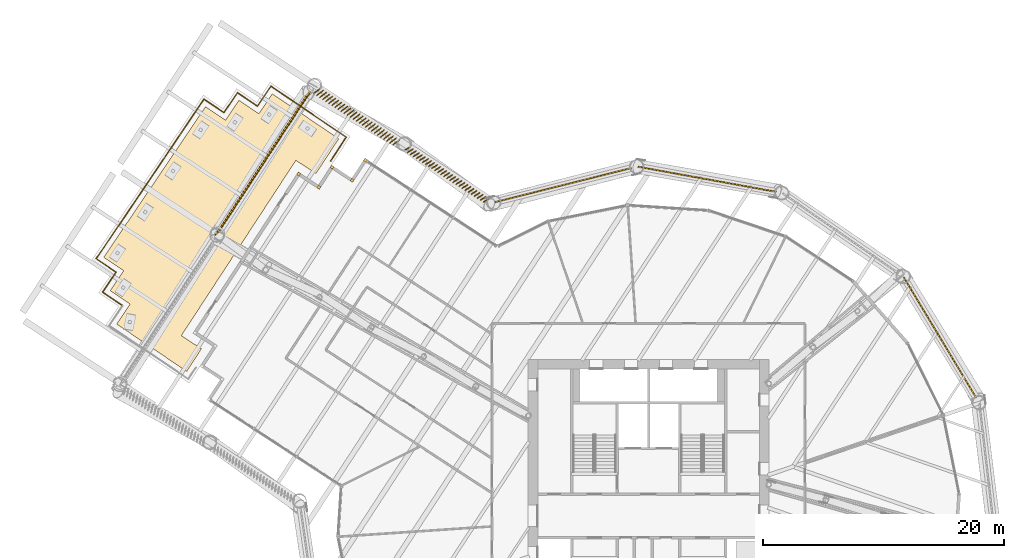
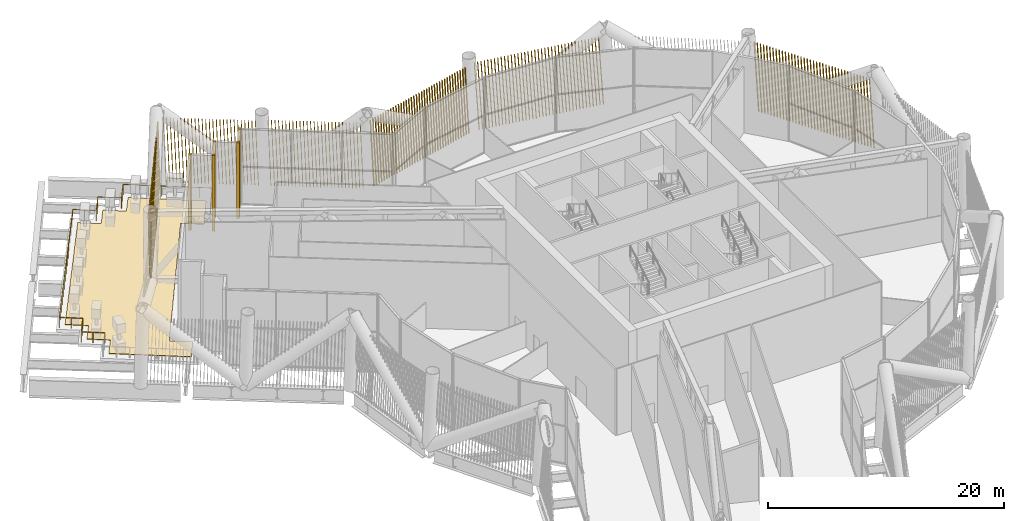
# One storey, part 60 of 63: 11 shading devices, 1 covering, 1 railing.
"""IFC4 building model written with IfcOpenShell, lengths in metres."""

from ifc_helpers import new_model, si_unit, direction, frame, frame_2d, origin, origin_2d, place, context, subcontext, project, spatial, polyline, rectangle, circle, outline, composite_profile, extrude, material, layer, layer_set, type_object, element, save


model = new_model("IFC4")

# Units and contexts
model_context = context("Model", 3, precision=1e-05, world=origin(), true_north=direction((0.0, 1.0)))
body_context = subcontext(model_context, "Body", "Model", "MODEL_VIEW")
ifc_project = project(units=[si_unit("LENGTHUNIT", "METRE"), si_unit("AREAUNIT", "SQUARE_METRE"), si_unit("VOLUMEUNIT", "CUBIC_METRE"), si_unit("PLANEANGLEUNIT", "RADIAN"), si_unit("MASSUNIT", "GRAM", prefix="KILO")], contexts=[model_context])

# Site, building, storey
site_placement = place(None, origin())
site = spatial("IfcSite", under=ifc_project, at=site_placement, CompositionType="ELEMENT")
building_placement = place(site_placement, origin())
building = spatial("IfcBuilding", under=site, at=building_placement, Name="Tarsis Ring Headquarters", CompositionType="ELEMENT")
storey_placement = place(building_placement, frame((0.0, 0.0, 139.60009765625)))
storey = spatial("IfcBuildingStorey", under=building, at=storey_placement, Name="L32", CompositionType="ELEMENT", Elevation=139.60009765625)

# Railing
ifc_material_1 = material(Name="Stainless steel guard", Category="steel")
railing_type = type_object("IfcRailingType", Name="Guard rail with mesh infill 1100", PredefinedType="GUARDRAIL", material=ifc_material_1)
railing_placement = place(storey_placement, frame((-43.70947265625, 17.478271484375, 0.0)))
element("IfcRailing", 1, at=railing_placement, inside=storey, type_object=railing_type, Name="Terrace guard L32-1.1", PredefinedType="GUARDRAIL", context=body_context, shape_type="SweptSolid", body=[
    extrude(circle(Radius=0.030029296875, at=origin_2d()), frame((0.0, 0.0, 1.070068359375), z_axis=(-0.828426692775, 0.560097504635, 0.0), x_axis=(-0.560097504635, -0.828426692775, 0.0)), (0.0, 0.0, 1.0), 1.999755859375),
    extrude(circle(Radius=0.030029296875, at=origin_2d()), frame((-1.65673828125, 1.1201171875, 1.070068359375), z_axis=(0.560040864527, 0.828464984208, 0.0), x_axis=(-0.828464984208, 0.560040864527, 0.0)), (0.0, 0.0, 1.0), 2.0),
    extrude(circle(Radius=0.030029296875, at=origin_2d()), frame((-0.53662109375, 2.777099609375, 1.070068359375), z_axis=(-0.828464984208, 0.560040864527, 0.0), x_axis=(-0.560040864527, -0.828464984208, 0.0)), (0.0, 0.0, 1.0), 2.0),
    extrude(circle(Radius=0.030029296875, at=origin_2d()), frame((-2.193603515625, 3.897216796875, 1.070068359375), z_axis=(0.560062103532, 0.828450626282, 0.0), x_axis=(-0.828450626282, 0.560062103532, 0.0)), (0.0, 0.0, 1.0), 16.0),
    extrude(circle(Radius=0.030029296875, at=origin_2d()), frame((6.767333984375, 17.15234375, 1.070068359375), z_axis=(0.828464984208, -0.560040864527, 0.0), x_axis=(0.560040864527, 0.828464984208, 0.0)), (0.0, 0.0, 1.0), 2.0),
    extrude(circle(Radius=0.030029296875, at=origin_2d()), frame((8.42431640625, 16.0322265625, 1.070068359375), z_axis=(0.560040864527, 0.828464984208, 0.0), x_axis=(-0.828464984208, 0.560040864527, 0.0)), (0.0, 0.0, 1.0), 2.0),
    extrude(circle(Radius=0.030029296875, at=origin_2d()), frame((9.54443359375, 17.689208984375, 1.070068359375), z_axis=(0.828464984208, -0.560040864527, 0.0), x_axis=(0.560040864527, 0.828464984208, 0.0)), (0.0, 0.0, 1.0), 2.0),
    extrude(circle(Radius=0.030029296875, at=origin_2d()), frame((11.201416015625, 16.569091796875, 1.070068359375), z_axis=(0.560097504635, 0.828426692775, 0.0), x_axis=(-0.828426692775, 0.560097504635, 0.0)), (0.0, 0.0, 1.0), 1.999755859375),
    extrude(circle(Radius=0.030029296875, at=origin_2d()), frame((12.321533203125, 18.225830078125, 1.070068359375), z_axis=(0.828449194127, -0.560064221987, 0.0), x_axis=(0.560064221987, 0.828449194127, 0.0)), (0.0, 0.0, 1.0), 7.556640625),
    extrude(circle(Radius=0.030029296875, at=origin_2d()), frame((18.581787109375, 13.99365234375, 1.070068359375), z_axis=(-0.546981485054, -0.837144703745, 0.0), x_axis=(0.837144703745, -0.546981485054, 0.0)), (0.0, 0.0, 1.0), 2.357666015625),
    extrude(circle(Radius=0.02490234375, at=origin_2d()), origin(), (0.0, 0.0, 1.0), 1.0400390625),
    extrude(circle(Radius=0.02490234375, at=origin_2d()), frame((-0.828369140625, 0.56005859375, 0.0)), (0.0, 0.0, 1.0), 1.0400390625),
    extrude(circle(Radius=0.02490234375, at=origin_2d()), frame((-1.65673828125, 1.1201171875, 0.0)), (0.0, 0.0, 1.0), 1.0400390625),
    extrude(circle(Radius=0.02490234375, at=origin_2d()), frame((-1.0966796875, 1.94873046875, 0.0)), (0.0, 0.0, 1.0), 1.0400390625),
    extrude(circle(Radius=0.02490234375, at=origin_2d()), frame((-0.53662109375, 2.777099609375, 0.0)), (0.0, 0.0, 1.0), 1.0400390625),
    extrude(circle(Radius=0.02490234375, at=origin_2d()), frame((-1.365234375, 3.337158203125, 0.0)), (0.0, 0.0, 1.0), 1.0400390625),
    extrude(circle(Radius=0.02490234375, at=origin_2d()), frame((-2.193603515625, 3.897216796875, 0.0)), (0.0, 0.0, 1.0), 1.0400390625),
    extrude(circle(Radius=0.02490234375, at=origin_2d()), frame((-1.553466796875, 4.843994140625, 0.0)), (0.0, 0.0, 1.0), 1.0400390625),
    extrude(circle(Radius=0.02490234375, at=origin_2d()), frame((-0.91357421875, 5.790771484375, 0.0)), (0.0, 0.0, 1.0), 1.0400390625),
    extrude(circle(Radius=0.02490234375, at=origin_2d()), frame((-0.2734375, 6.737548828125, 0.0)), (0.0, 0.0, 1.0), 1.0400390625),
    extrude(circle(Radius=0.02490234375, at=origin_2d()), frame((0.36669921875, 7.684326171875, 0.0)), (0.0, 0.0, 1.0), 1.0400390625),
    extrude(circle(Radius=0.02490234375, at=origin_2d()), frame((1.0068359375, 8.631103515625, 0.0)), (0.0, 0.0, 1.0), 1.0400390625),
    extrude(circle(Radius=0.02490234375, at=origin_2d()), frame((1.646728515625, 9.577880859375, 0.0)), (0.0, 0.0, 1.0), 1.0400390625),
    extrude(circle(Radius=0.02490234375, at=origin_2d()), frame((2.286865234375, 10.52490234375, 0.0)), (0.0, 0.0, 1.0), 1.0400390625),
    extrude(circle(Radius=0.02490234375, at=origin_2d()), frame((2.927001953125, 11.4716796875, 0.0)), (0.0, 0.0, 1.0), 1.0400390625),
    extrude(circle(Radius=0.02490234375, at=origin_2d()), frame((3.56689453125, 12.41845703125, 0.0)), (0.0, 0.0, 1.0), 1.0400390625),
    extrude(circle(Radius=0.02490234375, at=origin_2d()), frame((4.20703125, 13.365234375, 0.0)), (0.0, 0.0, 1.0), 1.0400390625),
    extrude(circle(Radius=0.02490234375, at=origin_2d()), frame((4.84716796875, 14.31201171875, 0.0)), (0.0, 0.0, 1.0), 1.0400390625),
    extrude(circle(Radius=0.02490234375, at=origin_2d()), frame((5.4873046875, 15.2587890625, 0.0)), (0.0, 0.0, 1.0), 1.0400390625),
    extrude(circle(Radius=0.02490234375, at=origin_2d()), frame((6.127197265625, 16.20556640625, 0.0)), (0.0, 0.0, 1.0), 1.0400390625),
    extrude(circle(Radius=0.02490234375, at=origin_2d()), frame((6.767333984375, 17.15234375, 0.0)), (0.0, 0.0, 1.0), 1.0400390625),
    extrude(circle(Radius=0.02490234375, at=origin_2d()), frame((7.595703125, 16.59228515625, 0.0)), (0.0, 0.0, 1.0), 1.0400390625),
    extrude(circle(Radius=0.02490234375, at=origin_2d()), frame((8.42431640625, 16.0322265625, 0.0)), (0.0, 0.0, 1.0), 1.0400390625),
    extrude(circle(Radius=0.02490234375, at=origin_2d()), frame((8.984375, 16.86083984375, 0.0)), (0.0, 0.0, 1.0), 1.0400390625),
    extrude(circle(Radius=0.02490234375, at=origin_2d()), frame((9.54443359375, 17.689208984375, 0.0)), (0.0, 0.0, 1.0), 1.0400390625),
    extrude(circle(Radius=0.02490234375, at=origin_2d()), frame((10.373046875, 17.129150390625, 0.0)), (0.0, 0.0, 1.0), 1.0400390625),
    extrude(circle(Radius=0.02490234375, at=origin_2d()), frame((11.201416015625, 16.569091796875, 0.0)), (0.0, 0.0, 1.0), 1.0400390625),
    extrude(circle(Radius=0.02490234375, at=origin_2d()), frame((11.761474609375, 17.3974609375, 0.0)), (0.0, 0.0, 1.0), 1.0400390625),
    extrude(circle(Radius=0.02490234375, at=origin_2d()), frame((12.321533203125, 18.225830078125, 0.0)), (0.0, 0.0, 1.0), 1.0400390625),
    extrude(circle(Radius=0.02490234375, at=origin_2d()), frame((13.2158203125, 17.621337890625, 0.0)), (0.0, 0.0, 1.0), 1.0400390625),
    extrude(circle(Radius=0.02490234375, at=origin_2d()), frame((14.110107421875, 17.0166015625, 0.0)), (0.0, 0.0, 1.0), 1.0400390625),
    extrude(circle(Radius=0.02490234375, at=origin_2d()), frame((15.00439453125, 16.412109375, 0.0)), (0.0, 0.0, 1.0), 1.0400390625),
    extrude(circle(Radius=0.02490234375, at=origin_2d()), frame((15.89892578125, 15.807373046875, 0.0)), (0.0, 0.0, 1.0), 1.0400390625),
    extrude(circle(Radius=0.02490234375, at=origin_2d()), frame((16.793212890625, 15.202880859375, 0.0)), (0.0, 0.0, 1.0), 1.0400390625),
    extrude(circle(Radius=0.02490234375, at=origin_2d()), frame((17.6875, 14.59814453125, 0.0)), (0.0, 0.0, 1.0), 1.0400390625),
    extrude(circle(Radius=0.02490234375, at=origin_2d()), frame((18.581787109375, 13.99365234375, 0.0)), (0.0, 0.0, 1.0), 1.0400390625),
    extrude(circle(Radius=0.02490234375, at=origin_2d()), frame((17.93701171875, 13.0068359375, 0.0)), (0.0, 0.0, 1.0), 1.0400390625),
    extrude(circle(Radius=0.02490234375, at=origin_2d()), frame((17.292236328125, 12.02001953125, 0.0)), (0.0, 0.0, 1.0), 1.0400390625),
])

# Covering
ifc_material_2 = material(Name="Porcelain terrace paving")
ifc_layer = layer(ifc_material_2, 0.0400390625)
ifc_layer_set = layer_set([ifc_layer], Name="Terrace paving 40")
covering_type = type_object("IfcCoveringType", Name="Terrace paving 40", PredefinedType="FLOORING", material=ifc_layer_set)
covering_placement = place(storey_placement, origin())
element("IfcCovering", 2, at=covering_placement, inside=storey, type_object=covering_type, Name="Terrace paving L32-1", PredefinedType="FLOORING", context=body_context, shape_type="SweptSolid", body=[
    extrude(outline(polyline([(-43.08447265625, 17.59912109375), (-44.741455078125, 18.71923828125), (-43.621337890625, 20.3759765625), (-45.2783203125, 21.49609375), (-36.8212890625, 34.005859375), (-35.164306640625, 32.8857421875), (-34.044189453125, 34.54248046875), (-32.387451171875, 33.42236328125), (-31.267333984375, 35.079345703125), (-25.74658203125, 31.34716796875), (-27.638916015625, 28.451171875), (-29.313232421875, 29.545166015625), (-38.83056640625, 14.978759765625), (-37.15625, 13.885009765625), (-38.38330078125, 12.0068359375), (-44.20458984375, 15.942138671875), (-43.08447265625, 17.59912109375)])), origin(), (0.0, 0.0, 1.0), 0.039794921875),
])

# Shading devices
ifc_material_3 = material(Name="Terracotta baguette", Category="masonry")
shading_device_type_1 = type_object("IfcShadingDeviceType", Name="Terracotta baguette screen", PredefinedType="USERDEFINED", material=ifc_material_3)
shading_device_1_placement = place(storey_placement, frame((27.234619140625, 9.80908203125, 0.0), z_axis=(0.0, 0.0, 1.0), x_axis=(-0.515203472599, 0.857059142702, 0.0)))
element("IfcShadingDevice", 3, at=shading_device_1_placement, inside=storey, type_object=shading_device_type_1, Name="Baguette screen L32-11", ObjectType="Terracotta baguette screen", PredefinedType="USERDEFINED", context=body_context, shape_type="SweptSolid", body=[
    extrude(composite_profile([rectangle(XDim=0.06005859375, YDim=0.1201171875, at=frame_2d((0.030029296875, 0.0))), rectangle(XDim=0.06005859375, YDim=0.1201171875, at=frame_2d((0.33251953125, 0.0))), rectangle(XDim=0.06005859375, YDim=0.1201171875, at=frame_2d((0.634765625, 0.0))), rectangle(XDim=0.06005859375, YDim=0.1201171875, at=frame_2d((0.937255859375, 0.0))), rectangle(XDim=0.06005859375, YDim=0.1201171875, at=frame_2d((1.239501953125, 0.0))), rectangle(XDim=0.06005859375, YDim=0.1201171875, at=frame_2d((1.5419921875, 0.0))), rectangle(XDim=0.06005859375, YDim=0.1201171875, at=frame_2d((1.844482421875, 0.0))), rectangle(XDim=0.06005859375, YDim=0.1201171875, at=frame_2d((2.146728515625, 0.0))), rectangle(XDim=0.06005859375, YDim=0.1201171875, at=frame_2d((2.44921875, 0.0))), rectangle(XDim=0.06005859375, YDim=0.1201171875, at=frame_2d((2.751708984375, 0.0))), rectangle(XDim=0.06005859375, YDim=0.1201171875, at=frame_2d((3.053955078125, 0.0))), rectangle(XDim=0.06005859375, YDim=0.1201171875, at=frame_2d((3.3564453125, 0.0))), rectangle(XDim=0.06005859375, YDim=0.1201171875, at=frame_2d((3.65869140625, 0.0))), rectangle(XDim=0.06005859375, YDim=0.1201171875, at=frame_2d((3.961181640625, 0.0))), rectangle(XDim=0.06005859375, YDim=0.1201171875, at=frame_2d((4.263671875, 0.0))), rectangle(XDim=0.06005859375, YDim=0.1201171875, at=frame_2d((4.56591796875, 0.0))), rectangle(XDim=0.06005859375, YDim=0.1201171875, at=frame_2d((4.868408203125, 0.0))), rectangle(XDim=0.06005859375, YDim=0.1201171875, at=frame_2d((5.1708984375, 0.0))), rectangle(XDim=0.06005859375, YDim=0.1201171875, at=frame_2d((5.47314453125, 0.0))), rectangle(XDim=0.06005859375, YDim=0.1201171875, at=frame_2d((5.775634765625, 0.0))), rectangle(XDim=0.06005859375, YDim=0.1201171875, at=frame_2d((6.077880859375, 0.0))), rectangle(XDim=0.06005859375, YDim=0.1201171875, at=frame_2d((6.38037109375, 0.0))), rectangle(XDim=0.06005859375, YDim=0.1201171875, at=frame_2d((6.682861328125, 0.0))), rectangle(XDim=0.06005859375, YDim=0.1201171875, at=frame_2d((6.985107421875, 0.0))), rectangle(XDim=0.06005859375, YDim=0.1201171875, at=frame_2d((7.28759765625, 0.0))), rectangle(XDim=0.06005859375, YDim=0.1201171875, at=frame_2d((7.590087890625, 0.0))), rectangle(XDim=0.06005859375, YDim=0.1201171875, at=frame_2d((7.892333984375, 0.0))), rectangle(XDim=0.06005859375, YDim=0.1201171875, at=frame_2d((8.19482421875, 0.0))), rectangle(XDim=0.06005859375, YDim=0.1201171875, at=frame_2d((8.4970703125, 0.0))), rectangle(XDim=0.06005859375, YDim=0.1201171875, at=frame_2d((8.799560546875, 0.0))), rectangle(XDim=0.06005859375, YDim=0.1201171875, at=frame_2d((9.10205078125, 0.0))), rectangle(XDim=0.06005859375, YDim=0.1201171875, at=frame_2d((9.404296875, 0.0))), rectangle(XDim=0.06005859375, YDim=0.1201171875, at=frame_2d((9.706787109375, 0.0))), rectangle(XDim=0.06005859375, YDim=0.1201171875, at=frame_2d((10.00927734375, 0.0))), rectangle(XDim=0.06005859375, YDim=0.1201171875, at=frame_2d((10.3115234375, 0.0))), rectangle(XDim=0.06005859375, YDim=0.1201171875, at=frame_2d((10.614013671875, 0.0))), rectangle(XDim=0.06005859375, YDim=0.1201171875, at=frame_2d((10.916259765625, 0.0))), rectangle(XDim=0.06005859375, YDim=0.1201171875, at=frame_2d((11.21875, 0.0)))]), origin(), (0.063139934079, 0.000495763711, 0.998004560582), 7.06396484375),
])
shading_device_2_placement = place(storey_placement, frame((10.61279296875, 26.931640625, 0.0), z_axis=(0.0, 0.0, 1.0), x_axis=(-0.983874118285, 0.178860553445, 0.0)))
element("IfcShadingDevice", 4, at=shading_device_2_placement, inside=storey, type_object=shading_device_type_1, Name="Baguette screen L32-13", ObjectType="Terracotta baguette screen", PredefinedType="USERDEFINED", context=body_context, shape_type="SweptSolid", body=[
    extrude(composite_profile([rectangle(XDim=0.06005859375, YDim=0.1201171875, at=frame_2d((0.030029296875, 0.0))), rectangle(XDim=0.06005859375, YDim=0.1201171875, at=frame_2d((0.33251953125, 0.0))), rectangle(XDim=0.06005859375, YDim=0.1201171875, at=frame_2d((0.634765625, 0.0))), rectangle(XDim=0.06005859375, YDim=0.1201171875, at=frame_2d((0.937255859375, 0.0))), rectangle(XDim=0.06005859375, YDim=0.1201171875, at=frame_2d((1.239501953125, 0.0))), rectangle(XDim=0.06005859375, YDim=0.1201171875, at=frame_2d((1.5419921875, 0.0))), rectangle(XDim=0.06005859375, YDim=0.1201171875, at=frame_2d((1.844482421875, 0.0))), rectangle(XDim=0.06005859375, YDim=0.1201171875, at=frame_2d((2.146728515625, 0.0))), rectangle(XDim=0.06005859375, YDim=0.1201171875, at=frame_2d((2.44921875, 0.0))), rectangle(XDim=0.06005859375, YDim=0.1201171875, at=frame_2d((2.751708984375, 0.0))), rectangle(XDim=0.06005859375, YDim=0.1201171875, at=frame_2d((3.053955078125, 0.0))), rectangle(XDim=0.06005859375, YDim=0.1201171875, at=frame_2d((3.3564453125, 0.0))), rectangle(XDim=0.06005859375, YDim=0.1201171875, at=frame_2d((3.65869140625, 0.0))), rectangle(XDim=0.06005859375, YDim=0.1201171875, at=frame_2d((3.961181640625, 0.0))), rectangle(XDim=0.06005859375, YDim=0.1201171875, at=frame_2d((4.263671875, 0.0))), rectangle(XDim=0.06005859375, YDim=0.1201171875, at=frame_2d((4.56591796875, 0.0))), rectangle(XDim=0.06005859375, YDim=0.1201171875, at=frame_2d((4.868408203125, 0.0))), rectangle(XDim=0.06005859375, YDim=0.1201171875, at=frame_2d((5.1708984375, 0.0))), rectangle(XDim=0.06005859375, YDim=0.1201171875, at=frame_2d((5.47314453125, 0.0))), rectangle(XDim=0.06005859375, YDim=0.1201171875, at=frame_2d((5.775634765625, 0.0))), rectangle(XDim=0.06005859375, YDim=0.1201171875, at=frame_2d((6.077880859375, 0.0))), rectangle(XDim=0.06005859375, YDim=0.1201171875, at=frame_2d((6.38037109375, 0.0))), rectangle(XDim=0.06005859375, YDim=0.1201171875, at=frame_2d((6.682861328125, 0.0))), rectangle(XDim=0.06005859375, YDim=0.1201171875, at=frame_2d((6.985107421875, 0.0))), rectangle(XDim=0.06005859375, YDim=0.1201171875, at=frame_2d((7.28759765625, 0.0))), rectangle(XDim=0.06005859375, YDim=0.1201171875, at=frame_2d((7.590087890625, 0.0))), rectangle(XDim=0.06005859375, YDim=0.1201171875, at=frame_2d((7.892333984375, 0.0))), rectangle(XDim=0.06005859375, YDim=0.1201171875, at=frame_2d((8.19482421875, 0.0))), rectangle(XDim=0.06005859375, YDim=0.1201171875, at=frame_2d((8.4970703125, 0.0))), rectangle(XDim=0.06005859375, YDim=0.1201171875, at=frame_2d((8.799560546875, 0.0))), rectangle(XDim=0.06005859375, YDim=0.1201171875, at=frame_2d((9.10205078125, 0.0))), rectangle(XDim=0.06005859375, YDim=0.1201171875, at=frame_2d((9.404296875, 0.0))), rectangle(XDim=0.06005859375, YDim=0.1201171875, at=frame_2d((9.706787109375, 0.0))), rectangle(XDim=0.06005859375, YDim=0.1201171875, at=frame_2d((10.00927734375, 0.0))), rectangle(XDim=0.06005859375, YDim=0.1201171875, at=frame_2d((10.3115234375, 0.0))), rectangle(XDim=0.06005859375, YDim=0.1201171875, at=frame_2d((10.614013671875, 0.0))), rectangle(XDim=0.06005859375, YDim=0.1201171875, at=frame_2d((10.916259765625, 0.0))), rectangle(XDim=0.06005859375, YDim=0.1201171875, at=frame_2d((11.21875, 0.0)))]), origin(), (0.063140477838, 0.000495552365, 0.998004526285), 7.06396484375),
])
shading_device_3_placement = place(storey_placement, frame((-1.431640625, 28.911865234375, 0.0), z_axis=(0.0, 0.0, 1.0), x_axis=(-0.970135648399, -0.242582745524, 0.0)))
element("IfcShadingDevice", 5, at=shading_device_3_placement, inside=storey, type_object=shading_device_type_1, Name="Baguette screen L32-14", ObjectType="Terracotta baguette screen", PredefinedType="USERDEFINED", context=body_context, shape_type="SweptSolid", body=[
    extrude(composite_profile([rectangle(XDim=0.06005859375, YDim=0.1201171875, at=frame_2d((0.030029296875, 0.0))), rectangle(XDim=0.06005859375, YDim=0.1201171875, at=frame_2d((0.33251953125, 0.0))), rectangle(XDim=0.06005859375, YDim=0.1201171875, at=frame_2d((0.634765625, 0.0))), rectangle(XDim=0.06005859375, YDim=0.1201171875, at=frame_2d((0.937255859375, 0.0))), rectangle(XDim=0.06005859375, YDim=0.1201171875, at=frame_2d((1.239501953125, 0.0))), rectangle(XDim=0.06005859375, YDim=0.1201171875, at=frame_2d((1.5419921875, 0.0))), rectangle(XDim=0.06005859375, YDim=0.1201171875, at=frame_2d((1.844482421875, 0.0))), rectangle(XDim=0.06005859375, YDim=0.1201171875, at=frame_2d((2.146728515625, 0.0))), rectangle(XDim=0.06005859375, YDim=0.1201171875, at=frame_2d((2.44921875, 0.0))), rectangle(XDim=0.06005859375, YDim=0.1201171875, at=frame_2d((2.751708984375, 0.0))), rectangle(XDim=0.06005859375, YDim=0.1201171875, at=frame_2d((3.053955078125, 0.0))), rectangle(XDim=0.06005859375, YDim=0.1201171875, at=frame_2d((3.3564453125, 0.0))), rectangle(XDim=0.06005859375, YDim=0.1201171875, at=frame_2d((3.65869140625, 0.0))), rectangle(XDim=0.06005859375, YDim=0.1201171875, at=frame_2d((3.961181640625, 0.0))), rectangle(XDim=0.06005859375, YDim=0.1201171875, at=frame_2d((4.263671875, 0.0))), rectangle(XDim=0.06005859375, YDim=0.1201171875, at=frame_2d((4.56591796875, 0.0))), rectangle(XDim=0.06005859375, YDim=0.1201171875, at=frame_2d((4.868408203125, 0.0))), rectangle(XDim=0.06005859375, YDim=0.1201171875, at=frame_2d((5.1708984375, 0.0))), rectangle(XDim=0.06005859375, YDim=0.1201171875, at=frame_2d((5.47314453125, 0.0))), rectangle(XDim=0.06005859375, YDim=0.1201171875, at=frame_2d((5.775634765625, 0.0))), rectangle(XDim=0.06005859375, YDim=0.1201171875, at=frame_2d((6.077880859375, 0.0))), rectangle(XDim=0.06005859375, YDim=0.1201171875, at=frame_2d((6.38037109375, 0.0))), rectangle(XDim=0.06005859375, YDim=0.1201171875, at=frame_2d((6.682861328125, 0.0))), rectangle(XDim=0.06005859375, YDim=0.1201171875, at=frame_2d((6.985107421875, 0.0))), rectangle(XDim=0.06005859375, YDim=0.1201171875, at=frame_2d((7.28759765625, 0.0))), rectangle(XDim=0.06005859375, YDim=0.1201171875, at=frame_2d((7.590087890625, 0.0))), rectangle(XDim=0.06005859375, YDim=0.1201171875, at=frame_2d((7.892333984375, 0.0))), rectangle(XDim=0.06005859375, YDim=0.1201171875, at=frame_2d((8.19482421875, 0.0))), rectangle(XDim=0.06005859375, YDim=0.1201171875, at=frame_2d((8.4970703125, 0.0))), rectangle(XDim=0.06005859375, YDim=0.1201171875, at=frame_2d((8.799560546875, 0.0))), rectangle(XDim=0.06005859375, YDim=0.1201171875, at=frame_2d((9.10205078125, 0.0))), rectangle(XDim=0.06005859375, YDim=0.1201171875, at=frame_2d((9.404296875, 0.0))), rectangle(XDim=0.06005859375, YDim=0.1201171875, at=frame_2d((9.706787109375, 0.0))), rectangle(XDim=0.06005859375, YDim=0.1201171875, at=frame_2d((10.00927734375, 0.0))), rectangle(XDim=0.06005859375, YDim=0.1201171875, at=frame_2d((10.3115234375, 0.0))), rectangle(XDim=0.06005859375, YDim=0.1201171875, at=frame_2d((10.614013671875, 0.0))), rectangle(XDim=0.06005859375, YDim=0.1201171875, at=frame_2d((10.916259765625, 0.0))), rectangle(XDim=0.06005859375, YDim=0.1201171875, at=frame_2d((11.21875, 0.0)))]), origin(), (0.063140851729, 0.000495719952, 0.998004502547), 7.06396484375),
])
shading_device_4_placement = place(storey_placement, frame((-13.248291015625, 26.335205078125, 0.0), z_axis=(0.0, 0.0, 1.0), x_axis=(-0.837123084528, 0.546990855166, 0.0)))
element("IfcShadingDevice", 6, at=shading_device_4_placement, inside=storey, type_object=shading_device_type_1, Name="Baguette screen L32-15", ObjectType="Terracotta baguette screen", PredefinedType="USERDEFINED", context=body_context, shape_type="SweptSolid", body=[
    extrude(composite_profile([rectangle(XDim=0.06005859375, YDim=0.1201171875, at=frame_2d((0.030029296875, 0.0))), rectangle(XDim=0.06005859375, YDim=0.1201171875, at=frame_2d((0.33154296875, 0.0))), rectangle(XDim=0.06005859375, YDim=0.1201171875, at=frame_2d((0.63330078125, 0.0))), rectangle(XDim=0.06005859375, YDim=0.1201171875, at=frame_2d((0.934814453125, 0.0))), rectangle(XDim=0.06005859375, YDim=0.1201171875, at=frame_2d((1.236572265625, 0.0))), rectangle(XDim=0.06005859375, YDim=0.1201171875, at=frame_2d((1.5380859375, 0.0))), rectangle(XDim=0.06005859375, YDim=0.1201171875, at=frame_2d((1.83984375, 0.0))), rectangle(XDim=0.06005859375, YDim=0.1201171875, at=frame_2d((2.141357421875, 0.0))), rectangle(XDim=0.06005859375, YDim=0.1201171875, at=frame_2d((2.443115234375, 0.0))), rectangle(XDim=0.06005859375, YDim=0.1201171875, at=frame_2d((2.74462890625, 0.0))), rectangle(XDim=0.06005859375, YDim=0.1201171875, at=frame_2d((3.04638671875, 0.0))), rectangle(XDim=0.06005859375, YDim=0.1201171875, at=frame_2d((3.347900390625, 0.0))), rectangle(XDim=0.06005859375, YDim=0.1201171875, at=frame_2d((3.649658203125, 0.0))), rectangle(XDim=0.06005859375, YDim=0.1201171875, at=frame_2d((3.951171875, 0.0))), rectangle(XDim=0.06005859375, YDim=0.1201171875, at=frame_2d((4.252685546875, 0.0))), rectangle(XDim=0.06005859375, YDim=0.1201171875, at=frame_2d((4.554443359375, 0.0))), rectangle(XDim=0.06005859375, YDim=0.1201171875, at=frame_2d((4.85595703125, 0.0))), rectangle(XDim=0.06005859375, YDim=0.1201171875, at=frame_2d((5.15771484375, 0.0))), rectangle(XDim=0.06005859375, YDim=0.1201171875, at=frame_2d((5.459228515625, 0.0))), rectangle(XDim=0.06005859375, YDim=0.1201171875, at=frame_2d((5.760986328125, 0.0))), rectangle(XDim=0.06005859375, YDim=0.1201171875, at=frame_2d((6.0625, 0.0))), rectangle(XDim=0.06005859375, YDim=0.1201171875, at=frame_2d((6.3642578125, 0.0))), rectangle(XDim=0.06005859375, YDim=0.1201171875, at=frame_2d((6.665771484375, 0.0))), rectangle(XDim=0.06005859375, YDim=0.1201171875, at=frame_2d((6.967529296875, 0.0))), rectangle(XDim=0.06005859375, YDim=0.1201171875, at=frame_2d((7.26904296875, 0.0))), rectangle(XDim=0.06005859375, YDim=0.1201171875, at=frame_2d((7.57080078125, 0.0))), rectangle(XDim=0.06005859375, YDim=0.1201171875, at=frame_2d((7.872314453125, 0.0)))]), origin(), (0.032370689818, 0.065690598772, 0.997314836786), 7.06884765625),
])
shading_device_5_placement = place(storey_placement, frame((-20.70068359375, 31.20458984375, 0.0), z_axis=(0.0, 0.0, 1.0), x_axis=(-0.837148948003, 0.546976859147, 0.0)))
element("IfcShadingDevice", 7, at=shading_device_5_placement, inside=storey, type_object=shading_device_type_1, Name="Baguette screen L32-16", ObjectType="Terracotta baguette screen", PredefinedType="USERDEFINED", context=body_context, shape_type="SweptSolid", body=[
    extrude(composite_profile([rectangle(XDim=0.06005859375, YDim=0.1201171875, at=frame_2d((0.030029296875, 0.0))), rectangle(XDim=0.06005859375, YDim=0.1201171875, at=frame_2d((0.33154296875, 0.0))), rectangle(XDim=0.06005859375, YDim=0.1201171875, at=frame_2d((0.63330078125, 0.0))), rectangle(XDim=0.06005859375, YDim=0.1201171875, at=frame_2d((0.934814453125, 0.0))), rectangle(XDim=0.06005859375, YDim=0.1201171875, at=frame_2d((1.236572265625, 0.0))), rectangle(XDim=0.06005859375, YDim=0.1201171875, at=frame_2d((1.5380859375, 0.0))), rectangle(XDim=0.06005859375, YDim=0.1201171875, at=frame_2d((1.83984375, 0.0))), rectangle(XDim=0.06005859375, YDim=0.1201171875, at=frame_2d((2.141357421875, 0.0))), rectangle(XDim=0.06005859375, YDim=0.1201171875, at=frame_2d((2.443115234375, 0.0))), rectangle(XDim=0.06005859375, YDim=0.1201171875, at=frame_2d((2.74462890625, 0.0))), rectangle(XDim=0.06005859375, YDim=0.1201171875, at=frame_2d((3.04638671875, 0.0))), rectangle(XDim=0.06005859375, YDim=0.1201171875, at=frame_2d((3.347900390625, 0.0))), rectangle(XDim=0.06005859375, YDim=0.1201171875, at=frame_2d((3.649658203125, 0.0))), rectangle(XDim=0.06005859375, YDim=0.1201171875, at=frame_2d((3.951171875, 0.0))), rectangle(XDim=0.06005859375, YDim=0.1201171875, at=frame_2d((4.252685546875, 0.0))), rectangle(XDim=0.06005859375, YDim=0.1201171875, at=frame_2d((4.554443359375, 0.0))), rectangle(XDim=0.06005859375, YDim=0.1201171875, at=frame_2d((4.85595703125, 0.0))), rectangle(XDim=0.06005859375, YDim=0.1201171875, at=frame_2d((5.15771484375, 0.0))), rectangle(XDim=0.06005859375, YDim=0.1201171875, at=frame_2d((5.459228515625, 0.0))), rectangle(XDim=0.06005859375, YDim=0.1201171875, at=frame_2d((5.760986328125, 0.0))), rectangle(XDim=0.06005859375, YDim=0.1201171875, at=frame_2d((6.0625, 0.0))), rectangle(XDim=0.06005859375, YDim=0.1201171875, at=frame_2d((6.3642578125, 0.0))), rectangle(XDim=0.06005859375, YDim=0.1201171875, at=frame_2d((6.665771484375, 0.0))), rectangle(XDim=0.06005859375, YDim=0.1201171875, at=frame_2d((6.967529296875, 0.0))), rectangle(XDim=0.06005859375, YDim=0.1201171875, at=frame_2d((7.26904296875, 0.0))), rectangle(XDim=0.06005859375, YDim=0.1201171875, at=frame_2d((7.57080078125, 0.0))), rectangle(XDim=0.06005859375, YDim=0.1201171875, at=frame_2d((7.872314453125, 0.0)))]), origin(), (0.032169744163, 0.085344871342, 0.995831994111), 7.079345703125),
])
shading_device_6_placement = place(storey_placement, frame((-28.008056640625, 35.3818359375, 0.0), z_axis=(0.0, 0.0, 1.0), x_axis=(-0.546988889675, -0.837148821739, 0.0)))
element("IfcShadingDevice", 8, at=shading_device_6_placement, inside=storey, type_object=shading_device_type_1, Name="Baguette screen L32-17", ObjectType="Terracotta baguette screen", PredefinedType="USERDEFINED", context=body_context, shape_type="SweptSolid", body=[
    extrude(composite_profile([rectangle(XDim=0.06005859375, YDim=0.1201171875, at=frame_2d((0.030029296875, 0.0))), rectangle(XDim=0.06005859375, YDim=0.1201171875, at=frame_2d((0.33544921875, 0.0))), rectangle(XDim=0.06005859375, YDim=0.1201171875, at=frame_2d((0.640625, 0.0))), rectangle(XDim=0.06005859375, YDim=0.1201171875, at=frame_2d((0.946044921875, 0.0))), rectangle(XDim=0.06005859375, YDim=0.1201171875, at=frame_2d((1.25146484375, 0.0))), rectangle(XDim=0.06005859375, YDim=0.1201171875, at=frame_2d((1.556640625, 0.0))), rectangle(XDim=0.06005859375, YDim=0.1201171875, at=frame_2d((1.862060546875, 0.0))), rectangle(XDim=0.06005859375, YDim=0.1201171875, at=frame_2d((2.16748046875, 0.0))), rectangle(XDim=0.06005859375, YDim=0.1201171875, at=frame_2d((2.47265625, 0.0))), rectangle(XDim=0.06005859375, YDim=0.1201171875, at=frame_2d((2.778076171875, 0.0))), rectangle(XDim=0.06005859375, YDim=0.1201171875, at=frame_2d((3.08349609375, 0.0))), rectangle(XDim=0.06005859375, YDim=0.1201171875, at=frame_2d((3.388671875, 0.0))), rectangle(XDim=0.06005859375, YDim=0.1201171875, at=frame_2d((3.694091796875, 0.0))), rectangle(XDim=0.06005859375, YDim=0.1201171875, at=frame_2d((3.99951171875, 0.0))), rectangle(XDim=0.06005859375, YDim=0.1201171875, at=frame_2d((4.3046875, 0.0))), rectangle(XDim=0.06005859375, YDim=0.1201171875, at=frame_2d((4.610107421875, 0.0))), rectangle(XDim=0.06005859375, YDim=0.1201171875, at=frame_2d((4.91552734375, 0.0))), rectangle(XDim=0.06005859375, YDim=0.1201171875, at=frame_2d((5.220703125, 0.0))), rectangle(XDim=0.06005859375, YDim=0.1201171875, at=frame_2d((5.526123046875, 0.0))), rectangle(XDim=0.06005859375, YDim=0.1201171875, at=frame_2d((5.83154296875, 0.0))), rectangle(XDim=0.06005859375, YDim=0.1201171875, at=frame_2d((6.13671875, 0.0))), rectangle(XDim=0.06005859375, YDim=0.1201171875, at=frame_2d((6.442138671875, 0.0))), rectangle(XDim=0.06005859375, YDim=0.1201171875, at=frame_2d((6.74755859375, 0.0))), rectangle(XDim=0.06005859375, YDim=0.1201171875, at=frame_2d((7.052734375, 0.0))), rectangle(XDim=0.06005859375, YDim=0.1201171875, at=frame_2d((7.358154296875, 0.0))), rectangle(XDim=0.06005859375, YDim=0.1201171875, at=frame_2d((7.66357421875, 0.0))), rectangle(XDim=0.06005859375, YDim=0.1201171875, at=frame_2d((7.96875, 0.0))), rectangle(XDim=0.06005859375, YDim=0.1201171875, at=frame_2d((8.274169921875, 0.0))), rectangle(XDim=0.06005859375, YDim=0.1201171875, at=frame_2d((8.57958984375, 0.0))), rectangle(XDim=0.06005859375, YDim=0.1201171875, at=frame_2d((8.884765625, 0.0))), rectangle(XDim=0.06005859375, YDim=0.1201171875, at=frame_2d((9.190185546875, 0.0))), rectangle(XDim=0.06005859375, YDim=0.1201171875, at=frame_2d((9.49560546875, 0.0))), rectangle(XDim=0.06005859375, YDim=0.1201171875, at=frame_2d((9.80078125, 0.0))), rectangle(XDim=0.06005859375, YDim=0.1201171875, at=frame_2d((10.106201171875, 0.0))), rectangle(XDim=0.06005859375, YDim=0.1201171875, at=frame_2d((10.41162109375, 0.0))), rectangle(XDim=0.06005859375, YDim=0.1201171875, at=frame_2d((10.716796875, 0.0))), rectangle(XDim=0.06005859375, YDim=0.1201171875, at=frame_2d((11.022216796875, 0.0))), rectangle(XDim=0.06005859375, YDim=0.1201171875, at=frame_2d((11.32763671875, 0.0))), rectangle(XDim=0.06005859375, YDim=0.1201171875, at=frame_2d((11.6328125, 0.0))), rectangle(XDim=0.06005859375, YDim=0.1201171875, at=frame_2d((11.938232421875, 0.0))), rectangle(XDim=0.06005859375, YDim=0.1201171875, at=frame_2d((12.24365234375, 0.0))), rectangle(XDim=0.06005859375, YDim=0.1201171875, at=frame_2d((12.548828125, 0.0))), rectangle(XDim=0.06005859375, YDim=0.1201171875, at=frame_2d((12.854248046875, 0.0))), rectangle(XDim=0.06005859375, YDim=0.1201171875, at=frame_2d((13.15966796875, 0.0))), rectangle(XDim=0.06005859375, YDim=0.1201171875, at=frame_2d((13.46484375, 0.0))), rectangle(XDim=0.06005859375, YDim=0.1201171875, at=frame_2d((13.770263671875, 0.0)))]), origin(), (0.0950468586, -0.015664913992, 0.995349539177), 7.082763671875),
])
shading_device_type_2 = type_object("IfcShadingDeviceType", Name="Terracotta corner baguette 250x250", PredefinedType="USERDEFINED", material=ifc_material_3)
for number, where, z_axis, x_axis, name in (
    (9, (-23.537353515625, 29.56396484375, 0.0), (0.0, 0.0, 1.0), (-0.837146390305, 0.546978903798, 0.0), "Corner baguette L32-32"),
    (10, (-24.631103515625, 27.8896484375, 0.0), (0.0, 0.0, 1.0), (-0.546978918409, -0.837146380758, 0.0), "Corner baguette L32-33"),
    (11, (-26.305419921875, 28.983642578125, 0.0), (0.0, 0.0, 1.0), (-0.837146609876, 0.546978567746, 0.0), "Corner baguette L32-34"),
    (12, (-27.3994140625, 27.309326171875, 0.0), (0.0, 0.0, 1.0), (-0.546978801521, -0.837146457131, 0.0), "Corner baguette L32-35"),
    (13, (-29.07373046875, 28.4033203125, 0.0), (0.0, 0.0, 1.0), (-0.837146380758, 0.546978918409, 0.0), "Corner baguette L32-36"),
):
    element("IfcShadingDevice", number, at=place(storey_placement, frame(where, z_axis=z_axis, x_axis=x_axis)), inside=storey, type_object=shading_device_type_2, Name=name, ObjectType="Terracotta corner baguette", PredefinedType="USERDEFINED", context=body_context, shape_type="SweptSolid", body=[
        extrude(rectangle(XDim=0.25, YDim=0.25, at=origin_2d()), origin(), (0.0, 0.0, 1.0), 7.840087890625),
    ])

save(model, "model.ifc")
